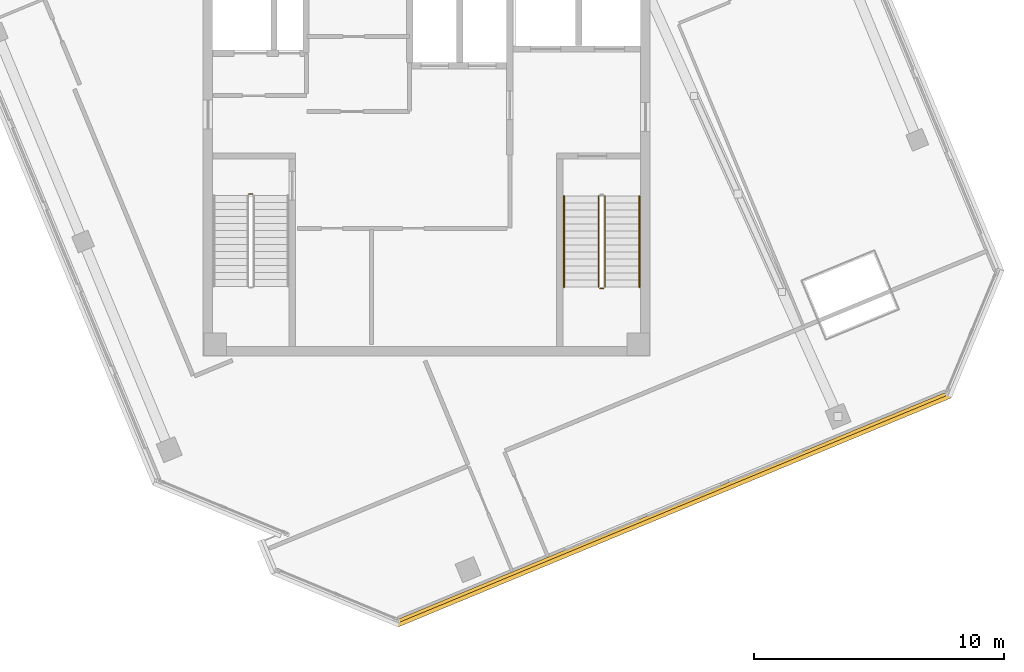
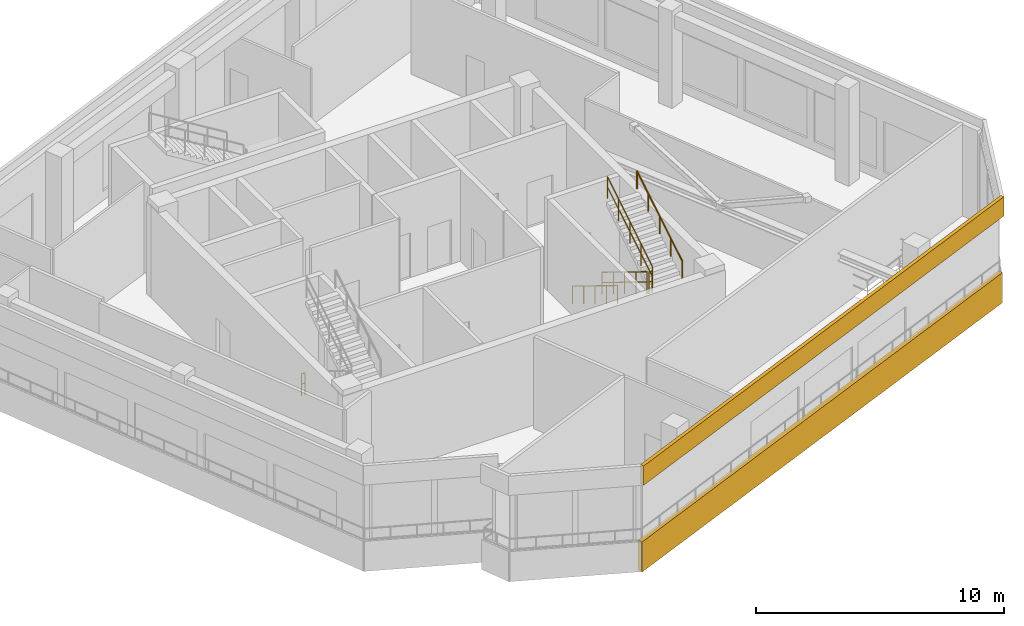
# One storey, part 13 of 17: 6 railings, 2 coverings.
"""IFC4 building model written with IfcOpenShell, lengths in metres."""

from ifc_helpers import new_model, si_unit, direction, frame, origin, origin_2d, place, context, subcontext, project, spatial, rectangle, circle, extrude, source, transform, mapped, material, layer, layer_set, type_object, element, save


model = new_model("IFC4")

# Units and contexts
model_context = context("Model", 3, precision=1e-05, world=origin(), true_north=direction((0.0, 1.0)))
body_context = subcontext(model_context, "Body", "Model", "MODEL_VIEW")
ifc_project = project(units=[si_unit("LENGTHUNIT", "METRE"), si_unit("AREAUNIT", "SQUARE_METRE"), si_unit("VOLUMEUNIT", "CUBIC_METRE"), si_unit("PLANEANGLEUNIT", "RADIAN"), si_unit("MASSUNIT", "GRAM", prefix="KILO")], contexts=[model_context])

# Site, building, storey
site_placement = place(None, origin())
site = spatial("IfcSite", under=ifc_project, at=site_placement, CompositionType="ELEMENT")
building_placement = place(site_placement, origin())
building = spatial("IfcBuilding", under=site, at=building_placement, Name="Torre Montelarca", CompositionType="ELEMENT")
storey_placement = place(building_placement, frame((0.0, 0.0, 355.199951171875)))
storey = spatial("IfcBuildingStorey", under=building, at=storey_placement, Name="L80", CompositionType="ELEMENT", Elevation=355.199951171875)

# Railings
ifc_material_1 = material(Name="Powder-coated steel ASTM A500 Grade C", Category="steel")
railing_type_1 = type_object("IfcRailingType", Name="RL-GUARD-1100", PredefinedType="BALUSTRADE", material=ifc_material_1)
railing_1_placement = place(storey_placement, frame((10.89990234375, 30.550048828125, 0.0)))
element("IfcRailing", 1, at=railing_1_placement, inside=storey, type_object=railing_type_1, Name="L80 ST1 stair guard 4", PredefinedType="BALUSTRADE", context=body_context, shape_type="SweptSolid", body=[
    extrude(circle(Radius=0.02392578125, at=origin_2d()), frame((0.0, 0.0, 1.076171875), z_axis=(1.0, 0.0, 0.0), x_axis=(0.0, 1.0, 0.0)), (0.0, 0.0, 1.0), 0.150146484375),
    extrude(circle(Radius=0.02099609375, at=origin_2d()), frame((0.0, 0.0, 0.572021484375), z_axis=(1.0, 0.0, 0.0), x_axis=(0.0, 1.0, 0.0)), (0.0, 0.0, 1.0), 0.150146484375),
    extrude(circle(Radius=0.02099609375, at=origin_2d()), origin(), (0.0, 0.0, 1.0), 1.052001953125),
    extrude(circle(Radius=0.02099609375, at=origin_2d()), frame((0.150146484375, 0.0, 0.0)), (0.0, 0.0, 1.0), 1.052001953125),
])
railing_2_placement = place(storey_placement, frame((24.8701171875, 30.469970703125, 0.17138671875)))
element("IfcRailing", 2, at=railing_2_placement, inside=storey, type_object=railing_type_1, Name="L80 ST2 stair guard 1", PredefinedType="BALUSTRADE", context=body_context, shape_type="SweptSolid", body=[
    extrude(circle(Radius=0.02392578125, at=origin_2d()), frame((0.0, 0.0, 1.076171875), z_axis=(0.0, -0.852824790078, 0.522197163366), x_axis=(1.0, 0.0, 0.0)), (0.0, 0.0, 1.0), 4.26806640625),
    extrude(circle(Radius=0.02099609375, at=origin_2d()), frame((0.0, 0.0, 0.572021484375), z_axis=(0.0, -0.852824790078, 0.522197163366), x_axis=(1.0, 0.0, 0.0)), (0.0, 0.0, 1.0), 4.26806640625),
    extrude(circle(Radius=0.02099609375, at=origin_2d()), origin(), (0.0, 0.0, 1.0), 1.052001953125),
    extrude(circle(Radius=0.02099609375, at=origin_2d()), frame((0.0, -0.909912109375, 0.55712890625)), (0.0, 0.0, 1.0), 1.052001953125),
    extrude(circle(Radius=0.02099609375, at=origin_2d()), frame((0.0, -1.81982421875, 1.1142578125)), (0.0, 0.0, 1.0), 1.052001953125),
    extrude(circle(Radius=0.02099609375, at=origin_2d()), frame((0.0, -2.72998046875, 1.671630859375)), (0.0, 0.0, 1.0), 1.052001953125),
    extrude(circle(Radius=0.02099609375, at=origin_2d()), frame((0.0, -3.639892578125, 2.228759765625)), (0.0, 0.0, 1.0), 1.052001953125),
])
railing_3_placement = place(storey_placement, frame((24.919921875, 26.780029296875, 2.400146484375)))
element("IfcRailing", 3, at=railing_3_placement, inside=storey, type_object=railing_type_1, Name="L80 ST2 stair guard 2", PredefinedType="BALUSTRADE", context=body_context, shape_type="SweptSolid", body=[
    extrude(circle(Radius=0.02392578125, at=origin_2d()), frame((0.0, 0.0, 1.076171875), z_axis=(1.0, 0.0, 0.0), x_axis=(0.0, 1.0, 0.0)), (0.0, 0.0, 1.0), 0.150146484375),
    extrude(circle(Radius=0.02099609375, at=origin_2d()), frame((0.0, 0.0, 0.572021484375), z_axis=(1.0, 0.0, 0.0), x_axis=(0.0, 1.0, 0.0)), (0.0, 0.0, 1.0), 0.150146484375),
    extrude(circle(Radius=0.02099609375, at=origin_2d()), origin(), (0.0, 0.0, 1.0), 1.052001953125),
    extrude(circle(Radius=0.02099609375, at=origin_2d()), frame((0.150146484375, 0.0, 0.0)), (0.0, 0.0, 1.0), 1.052001953125),
])
railing_4_placement = place(storey_placement, frame((25.1201171875, 26.830078125, 2.571533203125)))
element("IfcRailing", 4, at=railing_4_placement, inside=storey, type_object=railing_type_1, Name="L80 ST2 stair guard 3", PredefinedType="BALUSTRADE", context=body_context, shape_type="SweptSolid", body=[
    extrude(circle(Radius=0.02392578125, at=origin_2d()), frame((0.0, 0.0, 1.076171875), z_axis=(0.0, 0.852850264322, 0.5221555579), x_axis=(-1.0, 0.0, 0.0)), (0.0, 0.0, 1.0), 4.267822265625),
    extrude(circle(Radius=0.02099609375, at=origin_2d()), frame((0.0, 0.0, 0.572021484375), z_axis=(0.0, 0.852850264322, 0.5221555579), x_axis=(-1.0, 0.0, 0.0)), (0.0, 0.0, 1.0), 4.267822265625),
    extrude(circle(Radius=0.02099609375, at=origin_2d()), origin(), (0.0, 0.0, 1.0), 1.052001953125),
    extrude(circle(Radius=0.02099609375, at=origin_2d()), frame((0.0, 0.909912109375, 0.55712890625)), (0.0, 0.0, 1.0), 1.052001953125),
    extrude(circle(Radius=0.02099609375, at=origin_2d()), frame((0.0, 1.81982421875, 1.1142578125)), (0.0, 0.0, 1.0), 1.052001953125),
    extrude(circle(Radius=0.02099609375, at=origin_2d()), frame((0.0, 2.72998046875, 1.67138671875)), (0.0, 0.0, 1.0), 1.052001953125),
    extrude(circle(Radius=0.02099609375, at=origin_2d()), frame((0.0, 3.639892578125, 2.228515625)), (0.0, 0.0, 1.0), 1.052001953125),
])
ifc_material_2 = material(Name="Brushed stainless steel AISI 316", Category="steel")
railing_type_2 = type_object("IfcRailingType", Name="RL-HANDRAIL-900", PredefinedType="HANDRAIL", material=ifc_material_2)
railing_5_placement = place(storey_placement, frame((23.489990234375, 30.469970703125, 0.17138671875)))
element("IfcRailing", 5, at=railing_5_placement, inside=storey, type_object=railing_type_2, Name="L80 ST2 stair handrail 1", PredefinedType="HANDRAIL", context=body_context, shape_type="SweptSolid", body=[
    extrude(circle(Radius=0.02392578125, at=origin_2d()), frame((0.0, 0.0, 0.8759765625), z_axis=(0.0, -0.852824790078, 0.522197163366), x_axis=(1.0, 0.0, 0.0)), (0.0, 0.0, 1.0), 4.26806640625),
    extrude(circle(Radius=0.02099609375, at=origin_2d()), origin(), (0.0, 0.0, 1.0), 0.851806640625),
    extrude(circle(Radius=0.02099609375, at=origin_2d()), frame((0.0, -0.909912109375, 0.55712890625)), (0.0, 0.0, 1.0), 0.851806640625),
    extrude(circle(Radius=0.02099609375, at=origin_2d()), frame((0.0, -1.81982421875, 1.1142578125)), (0.0, 0.0, 1.0), 0.851806640625),
    extrude(circle(Radius=0.02099609375, at=origin_2d()), frame((0.0, -2.72998046875, 1.671630859375)), (0.0, 0.0, 1.0), 0.851806640625),
    extrude(circle(Radius=0.02099609375, at=origin_2d()), frame((0.0, -3.639892578125, 2.228759765625)), (0.0, 0.0, 1.0), 0.851806640625),
])
railing_6_placement = place(storey_placement, frame((26.5, 26.830078125, 2.571533203125)))
element("IfcRailing", 6, at=railing_6_placement, inside=storey, type_object=railing_type_2, Name="L80 ST2 stair handrail 2", PredefinedType="HANDRAIL", context=body_context, shape_type="SweptSolid", body=[
    extrude(circle(Radius=0.02392578125, at=origin_2d()), frame((0.0, 0.0, 0.8759765625), z_axis=(0.0, 0.852850264322, 0.5221555579), x_axis=(-1.0, 0.0, 0.0)), (0.0, 0.0, 1.0), 4.267822265625),
    extrude(circle(Radius=0.02099609375, at=origin_2d()), origin(), (0.0, 0.0, 1.0), 0.851806640625),
    extrude(circle(Radius=0.02099609375, at=origin_2d()), frame((0.0, 0.909912109375, 0.55712890625)), (0.0, 0.0, 1.0), 0.851806640625),
    extrude(circle(Radius=0.02099609375, at=origin_2d()), frame((0.0, 1.81982421875, 1.1142578125)), (0.0, 0.0, 1.0), 0.851806640625),
    extrude(circle(Radius=0.02099609375, at=origin_2d()), frame((0.0, 2.72998046875, 1.67138671875)), (0.0, 0.0, 1.0), 0.851806640625),
    extrude(circle(Radius=0.02099609375, at=origin_2d()), frame((0.0, 3.639892578125, 2.228515625)), (0.0, 0.0, 1.0), 0.851806640625),
])

# Coverings
ifc_material_3 = material(Name="Bush-hammered warm white precast concrete C45/55", Category="concrete")
ifc_layer = layer(ifc_material_3, 0.139892578125, Name="Bush-hammered warm white precast concrete C45/55", Category="concrete")
ifc_layer_set = layer_set([ifc_layer], Name="Bush-hammered warm white precast concrete C45/55")
covering_type = type_object("IfcCoveringType", Name="COV-TRAY-CLAD", PredefinedType="CLADDING", material=ifc_layer_set)
shared_shape_1 = source(origin(), body_context, "Body", "SweptSolid", [
    extrude(rectangle(XDim=23.919921875, YDim=0.219970703125, at=origin_2d()), origin(), (0.0, 0.0, 1.0), 1.47998046875),
])
covering_1_placement = place(storey_placement, frame((27.84375, 17.9912109375, -0.31982421875), z_axis=(0.0, 0.0, 1.0), x_axis=(0.923880200418, 0.382681819891, 0.0)))
element("IfcCovering", 7, at=covering_1_placement, inside=storey, type_object=covering_type, Name="L80 Architectural White Spandrel Tray Band DMPRNG-06", PredefinedType="CLADDING", context=body_context, shape_type="MappedRepresentation", body=[
    mapped(shared_shape_1, transform((0.0, 0.0, 0.0), scale=1.0)),
])
shared_shape_2 = source(origin(), body_context, "Body", "SweptSolid", [
    extrude(rectangle(XDim=23.919921875, YDim=0.159912109375, at=origin_2d()), origin(), (0.0, 0.0, 1.0), 0.949951171875),
])
covering_2_placement = place(storey_placement, frame((27.882080078125, 17.89892578125, 3.98486328125), z_axis=(0.0, 0.0, 1.0), x_axis=(0.923880200418, 0.382681819891, 0.0)))
element("IfcCovering", 8, at=covering_2_placement, inside=storey, type_object=covering_type, Name="L80 Architectural White Spandrel Tray Band DMPTOP-06", PredefinedType="CLADDING", context=body_context, shape_type="MappedRepresentation", body=[
    mapped(shared_shape_2, transform((0.0, 0.0, 0.0), scale=1.0)),
])

save(model, "model.ifc")
